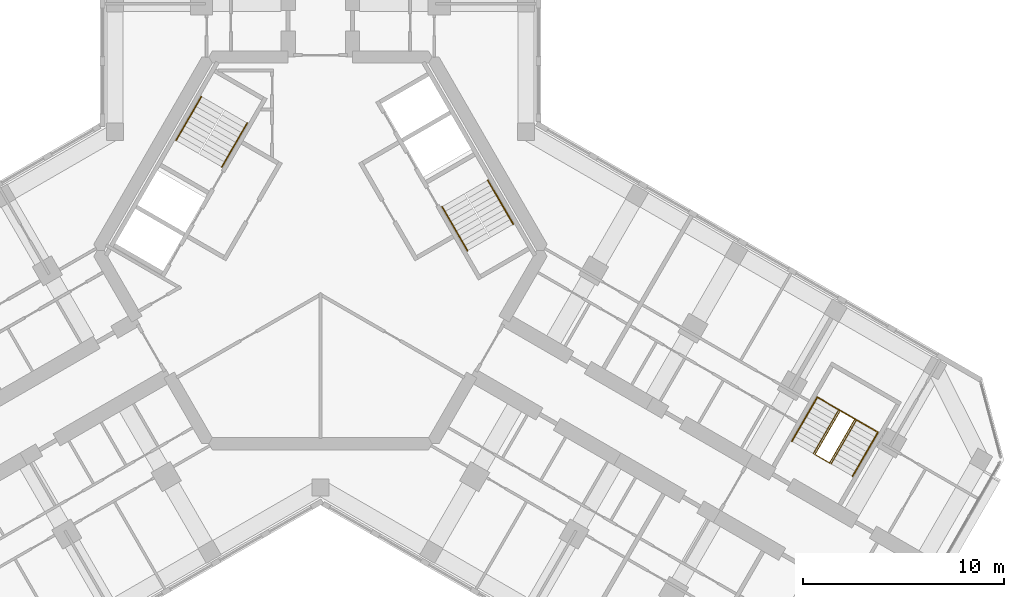
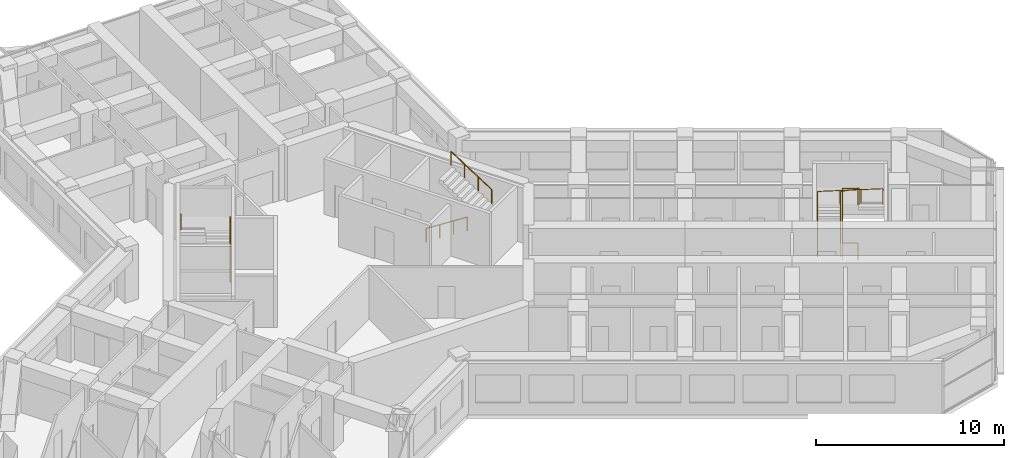
# One storey, part 16 of 16: 7 railings.
"""IFC4 building model written with IfcOpenShell, lengths in metres."""

from ifc_helpers import new_model, si_unit, direction, frame, origin, origin_2d, place, context, subcontext, project, spatial, circle, extrude, material, type_object, element, save


model = new_model("IFC4")

# Units and contexts
model_context = context("Model", 3, precision=1e-05, world=origin(), true_north=direction((0.0, 1.0)))
body_context = subcontext(model_context, "Body", "Model", "MODEL_VIEW")
ifc_project = project(units=[si_unit("LENGTHUNIT", "METRE"), si_unit("AREAUNIT", "SQUARE_METRE"), si_unit("VOLUMEUNIT", "CUBIC_METRE"), si_unit("PLANEANGLEUNIT", "RADIAN"), si_unit("MASSUNIT", "GRAM", prefix="KILO")], contexts=[model_context])

# Site, building, storey
site_placement = place(None, origin())
site = spatial("IfcSite", under=ifc_project, at=site_placement, CompositionType="ELEMENT")
building_placement = place(site_placement, origin())
building = spatial("IfcBuilding", under=site, at=building_placement, Name="Kosmar Iwan School Tower", CompositionType="ELEMENT")
storey_placement = place(building_placement, frame((0.0, 0.0, 231.60009765625)))
storey = spatial("IfcBuildingStorey", under=building, at=storey_placement, Name="L58", CompositionType="ELEMENT", Elevation=231.60009765625)

# Railings
ifc_material_1 = material(Name="Black steel", Category="steel")
railing_type_1 = type_object("IfcRailingType", Name="Stair handrail 900", PredefinedType="HANDRAIL", material=ifc_material_1)
railing_1_placement = place(storey_placement, frame((-4.89453125, 4.142333984375, 0.179931640625)))
element("IfcRailing", 1, at=railing_1_placement, inside=storey, type_object=railing_type_1, Name="Handrail ST2 flight 1", PredefinedType="HANDRAIL", context=body_context, shape_type="SweptSolid", body=[
    extrude(circle(Radius=0.02392578125, at=origin_2d()), frame((0.0, 0.0, 0.8759765625), z_axis=(0.42060268101, 0.72849590497, 0.54072830624), x_axis=(-0.866022637375, 0.500004791531, 0.0)), (0.0, 0.0, 1.0), 2.99560546875),
    extrude(circle(Radius=0.02099609375, at=origin_2d()), origin(), (0.0, 0.0, 1.0), 0.851806640625),
    extrude(circle(Radius=0.02099609375, at=origin_2d()), frame((0.419921875, 0.7275390625, 0.5400390625)), (0.0, 0.0, 1.0), 0.851806640625),
    extrude(circle(Radius=0.02099609375, at=origin_2d()), frame((0.840087890625, 1.454833984375, 1.079833984375)), (0.0, 0.0, 1.0), 0.851806640625),
    extrude(circle(Radius=0.02099609375, at=origin_2d()), frame((1.260009765625, 2.182373046875, 1.619873046875)), (0.0, 0.0, 1.0), 0.851806640625),
])
railing_2_placement = place(storey_placement, frame((-5.912353515625, 7.6396484375, 1.97998046875)))
element("IfcRailing", 2, at=railing_2_placement, inside=storey, type_object=railing_type_1, Name="Handrail ST2 flight 2", PredefinedType="HANDRAIL", context=body_context, shape_type="SweptSolid", body=[
    extrude(circle(Radius=0.02392578125, at=origin_2d()), frame((0.0, 0.0, 0.8759765625), z_axis=(-0.42060268101, -0.72849590497, 0.54072830624), x_axis=(0.866022637375, -0.500004791531, 0.0)), (0.0, 0.0, 1.0), 2.99560546875),
    extrude(circle(Radius=0.02099609375, at=origin_2d()), origin(), (0.0, 0.0, 1.0), 0.851806640625),
    extrude(circle(Radius=0.02099609375, at=origin_2d()), frame((-0.419921875, -0.7275390625, 0.5400390625)), (0.0, 0.0, 1.0), 0.851806640625),
    extrude(circle(Radius=0.02099609375, at=origin_2d()), frame((-0.840087890625, -1.454833984375, 1.079833984375)), (0.0, 0.0, 1.0), 0.851806640625),
    extrude(circle(Radius=0.02099609375, at=origin_2d()), frame((-1.260009765625, -2.182373046875, 1.619873046875)), (0.0, 0.0, 1.0), 0.851806640625),
])
railing_3_placement = place(storey_placement, frame((6.03466796875, 2.167724609375, 0.179931640625)))
element("IfcRailing", 3, at=railing_3_placement, inside=storey, type_object=railing_type_1, Name="Handrail ST1 flight 1", PredefinedType="HANDRAIL", context=body_context, shape_type="SweptSolid", body=[
    extrude(circle(Radius=0.02392578125, at=origin_2d()), frame((0.0, 0.0, 0.8759765625), z_axis=(0.42060268101, -0.72849590497, 0.54072830624), x_axis=(0.866022637375, 0.500004791531, 0.0)), (0.0, 0.0, 1.0), 2.99560546875),
    extrude(circle(Radius=0.02099609375, at=origin_2d()), origin(), (0.0, 0.0, 1.0), 0.851806640625),
    extrude(circle(Radius=0.02099609375, at=origin_2d()), frame((0.419921875, -0.7275390625, 0.5400390625)), (0.0, 0.0, 1.0), 0.851806640625),
    extrude(circle(Radius=0.02099609375, at=origin_2d()), frame((0.840087890625, -1.454833984375, 1.079833984375)), (0.0, 0.0, 1.0), 0.851806640625),
    extrude(circle(Radius=0.02099609375, at=origin_2d()), frame((1.260009765625, -2.182373046875, 1.619873046875)), (0.0, 0.0, 1.0), 0.851806640625),
])
railing_4_placement = place(storey_placement, frame((9.572265625, 1.30029296875, 1.97998046875)))
element("IfcRailing", 4, at=railing_4_placement, inside=storey, type_object=railing_type_1, Name="Handrail ST1 flight 2", PredefinedType="HANDRAIL", context=body_context, shape_type="SweptSolid", body=[
    extrude(circle(Radius=0.02392578125, at=origin_2d()), frame((0.0, 0.0, 0.8759765625), z_axis=(-0.42060268101, 0.72849590497, 0.54072830624), x_axis=(-0.866022637375, -0.500004791531, 0.0)), (0.0, 0.0, 1.0), 2.99560546875),
    extrude(circle(Radius=0.02099609375, at=origin_2d()), origin(), (0.0, 0.0, 1.0), 0.851806640625),
    extrude(circle(Radius=0.02099609375, at=origin_2d()), frame((-0.419921875, 0.7275390625, 0.5400390625)), (0.0, 0.0, 1.0), 0.851806640625),
    extrude(circle(Radius=0.02099609375, at=origin_2d()), frame((-0.840087890625, 1.454833984375, 1.079833984375)), (0.0, 0.0, 1.0), 0.851806640625),
    extrude(circle(Radius=0.02099609375, at=origin_2d()), frame((-1.260009765625, 2.182373046875, 1.619873046875)), (0.0, 0.0, 1.0), 0.851806640625),
])
railing_5_placement = place(storey_placement, frame((23.4091796875, -9.473876953125, 0.179931640625)))
element("IfcRailing", 5, at=railing_5_placement, inside=storey, type_object=railing_type_1, Name="Handrail stair WS3 L58 wall side", PredefinedType="HANDRAIL", context=body_context, shape_type="SweptSolid", body=[
    extrude(circle(Radius=0.02392578125, at=origin_2d()), frame((0.0, 0.0, 0.8759765625), z_axis=(0.42060268101, 0.72849590497, 0.54072830624), x_axis=(-0.866022637375, 0.500004791531, 0.0)), (0.0, 0.0, 1.0), 2.99560546875),
    extrude(circle(Radius=0.02392578125, at=origin_2d()), frame((1.260009765625, 2.182373046875, 2.49560546875), z_axis=(0.864878876685, -0.499310794179, 0.051703573187), x_axis=(0.499979528911, 0.866037222451, 0.0)), (0.0, 0.0, 1.0), 3.48486328125),
    extrude(circle(Radius=0.02392578125, at=origin_2d()), frame((4.27392578125, 0.4423828125, 2.67578125), z_axis=(-0.42060268101, -0.72849590497, 0.54072830624), x_axis=(0.866022637375, -0.500004791531, 0.0)), (0.0, 0.0, 1.0), 2.99560546875),
    extrude(circle(Radius=0.02099609375, at=origin_2d()), origin(), (0.0, 0.0, 1.0), 0.851806640625),
    extrude(circle(Radius=0.02099609375, at=origin_2d()), frame((0.419921875, 0.7275390625, 0.5400390625)), (0.0, 0.0, 1.0), 0.851806640625),
    extrude(circle(Radius=0.02099609375, at=origin_2d()), frame((0.840087890625, 1.454833984375, 1.079833984375)), (0.0, 0.0, 1.0), 0.851806640625),
    extrude(circle(Radius=0.02099609375, at=origin_2d()), frame((1.260009765625, 2.182373046875, 1.619873046875)), (0.0, 0.0, 1.0), 0.851806640625),
    extrude(circle(Radius=0.02099609375, at=origin_2d()), frame((2.2646484375, 1.602294921875, 1.679931640625)), (0.0, 0.0, 1.0), 0.851806640625),
    extrude(circle(Radius=0.02099609375, at=origin_2d()), frame((3.269287109375, 1.0224609375, 1.739990234375)), (0.0, 0.0, 1.0), 0.851806640625),
    extrude(circle(Radius=0.02099609375, at=origin_2d()), frame((4.27392578125, 0.4423828125, 1.800048828125)), (0.0, 0.0, 1.0), 0.851806640625),
    extrude(circle(Radius=0.02099609375, at=origin_2d()), frame((3.85400390625, -0.28515625, 2.340087890625)), (0.0, 0.0, 1.0), 0.851806640625),
    extrude(circle(Radius=0.02099609375, at=origin_2d()), frame((3.433837890625, -1.012451171875, 2.8798828125)), (0.0, 0.0, 1.0), 0.851806640625),
    extrude(circle(Radius=0.02099609375, at=origin_2d()), frame((3.013916015625, -1.739990234375, 3.419921875)), (0.0, 0.0, 1.0), 0.851806640625),
])
railing_6_placement = place(storey_placement, frame((24.474609375, -10.0888671875, 0.179931640625)))
element("IfcRailing", 6, at=railing_6_placement, inside=storey, type_object=railing_type_1, Name="Handrail stair WS3 L58 well side", PredefinedType="HANDRAIL", context=body_context, shape_type="SweptSolid", body=[
    extrude(circle(Radius=0.02392578125, at=origin_2d()), frame((0.0, 0.0, 0.8759765625), z_axis=(0.42060268101, 0.72849590497, 0.54072830624), x_axis=(-0.866022637375, 0.500004791531, 0.0)), (0.0, 0.0, 1.0), 2.99560546875),
    extrude(circle(Radius=0.02392578125, at=origin_2d()), frame((1.260009765625, 2.182373046875, 2.49560546875), z_axis=(0.852806573049, -0.492402689635, 0.173955569627), x_axis=(0.500026340207, 0.866010195725, 0.0)), (0.0, 0.0, 1.0), 1.03564453125),
    extrude(circle(Radius=0.02392578125, at=origin_2d()), frame((2.143310546875, 1.67236328125, 2.67578125), z_axis=(-0.42060268101, -0.72849590497, 0.54072830624), x_axis=(0.866022637375, -0.500004791531, 0.0)), (0.0, 0.0, 1.0), 2.99560546875),
    extrude(circle(Radius=0.02099609375, at=origin_2d()), origin(), (0.0, 0.0, 1.0), 0.851806640625),
    extrude(circle(Radius=0.02099609375, at=origin_2d()), frame((0.419921875, 0.7275390625, 0.5400390625)), (0.0, 0.0, 1.0), 0.851806640625),
    extrude(circle(Radius=0.02099609375, at=origin_2d()), frame((0.840087890625, 1.454833984375, 1.079833984375)), (0.0, 0.0, 1.0), 0.851806640625),
    extrude(circle(Radius=0.02099609375, at=origin_2d()), frame((1.260009765625, 2.182373046875, 1.619873046875)), (0.0, 0.0, 1.0), 0.851806640625),
    extrude(circle(Radius=0.02099609375, at=origin_2d()), frame((2.143310546875, 1.67236328125, 1.800048828125)), (0.0, 0.0, 1.0), 0.851806640625),
    extrude(circle(Radius=0.02099609375, at=origin_2d()), frame((1.723388671875, 0.94482421875, 2.340087890625)), (0.0, 0.0, 1.0), 0.851806640625),
    extrude(circle(Radius=0.02099609375, at=origin_2d()), frame((1.30322265625, 0.217529296875, 2.8798828125)), (0.0, 0.0, 1.0), 0.851806640625),
    extrude(circle(Radius=0.02099609375, at=origin_2d()), frame((0.88330078125, -0.510009765625, 3.419921875)), (0.0, 0.0, 1.0), 0.851806640625),
])
ifc_material_2 = material(Name="Black steel", Category="steel")
railing_type_2 = type_object("IfcRailingType", Name="Stair well guard 1100", PredefinedType="GUARDRAIL", material=ifc_material_2)
railing_7_placement = place(storey_placement, frame((25.280029296875, -10.553955078125, 0.0)))
element("IfcRailing", 7, at=railing_7_placement, inside=storey, type_object=railing_type_2, Name="Stair WS3 L58 well guard", PredefinedType="GUARDRAIL", context=body_context, shape_type="SweptSolid", body=[
    extrude(circle(Radius=0.02392578125, at=origin_2d()), frame((0.0, 0.0, 1.076171875), z_axis=(-0.865962960534, 0.500108139288, 0.0), x_axis=(-0.500108139288, -0.865962960534, 0.0)), (0.0, 0.0, 1.0), 0.840087890625),
    extrude(circle(Radius=0.02392578125, at=origin_2d()), frame((-0.7275390625, 0.420166015625, 1.076171875), z_axis=(0.406885297737, 0.704737003773, 0.581197135229), x_axis=(-0.866022637375, 0.500004791531, 0.0)), (0.0, 0.0, 1.0), 3.0966796875),
    extrude(circle(Radius=0.02392578125, at=origin_2d()), frame((0.532470703125, 2.6025390625, 2.8759765625), z_axis=(0.865890253765, -0.500234013672, 0.0), x_axis=(0.500234013672, 0.865890253765, 0.0)), (0.0, 0.0, 1.0), 0.83984375),
    extrude(circle(Radius=0.02392578125, at=origin_2d()), frame((1.259765625, 2.182373046875, 2.8759765625), z_axis=(-0.406800866334, -0.70472731476, 0.58126798207), x_axis=(0.866064587494, -0.499932125682, 0.0)), (0.0, 0.0, 1.0), 3.0966796875),
    extrude(circle(Radius=0.02099609375, at=origin_2d()), origin(), (0.0, 0.0, 1.0), 1.052001953125),
    extrude(circle(Radius=0.02099609375, at=origin_2d()), frame((-0.7275390625, 0.420166015625, 0.0)), (0.0, 0.0, 1.0), 1.052001953125),
    extrude(circle(Radius=0.02099609375, at=origin_2d()), frame((-0.3076171875, 1.147705078125, 0.599853515625)), (0.0, 0.0, 1.0), 1.052001953125),
    extrude(circle(Radius=0.02099609375, at=origin_2d()), frame((0.112548828125, 1.875, 1.199951171875)), (0.0, 0.0, 1.0), 1.052001953125),
    extrude(circle(Radius=0.02099609375, at=origin_2d()), frame((0.532470703125, 2.6025390625, 1.7998046875)), (0.0, 0.0, 1.0), 1.052001953125),
    extrude(circle(Radius=0.02099609375, at=origin_2d()), frame((1.259765625, 2.182373046875, 1.7998046875)), (0.0, 0.0, 1.0), 1.052001953125),
    extrude(circle(Radius=0.02099609375, at=origin_2d()), frame((0.83984375, 1.454833984375, 2.39990234375)), (0.0, 0.0, 1.0), 1.052001953125),
    extrude(circle(Radius=0.02099609375, at=origin_2d()), frame((0.419921875, 0.7275390625, 2.999755859375)), (0.0, 0.0, 1.0), 1.052001953125),
    extrude(circle(Radius=0.02099609375, at=origin_2d()), frame((0.0, 0.0, 3.599853515625)), (0.0, 0.0, 1.0), 1.052001953125),
])

save(model, "model.ifc")
